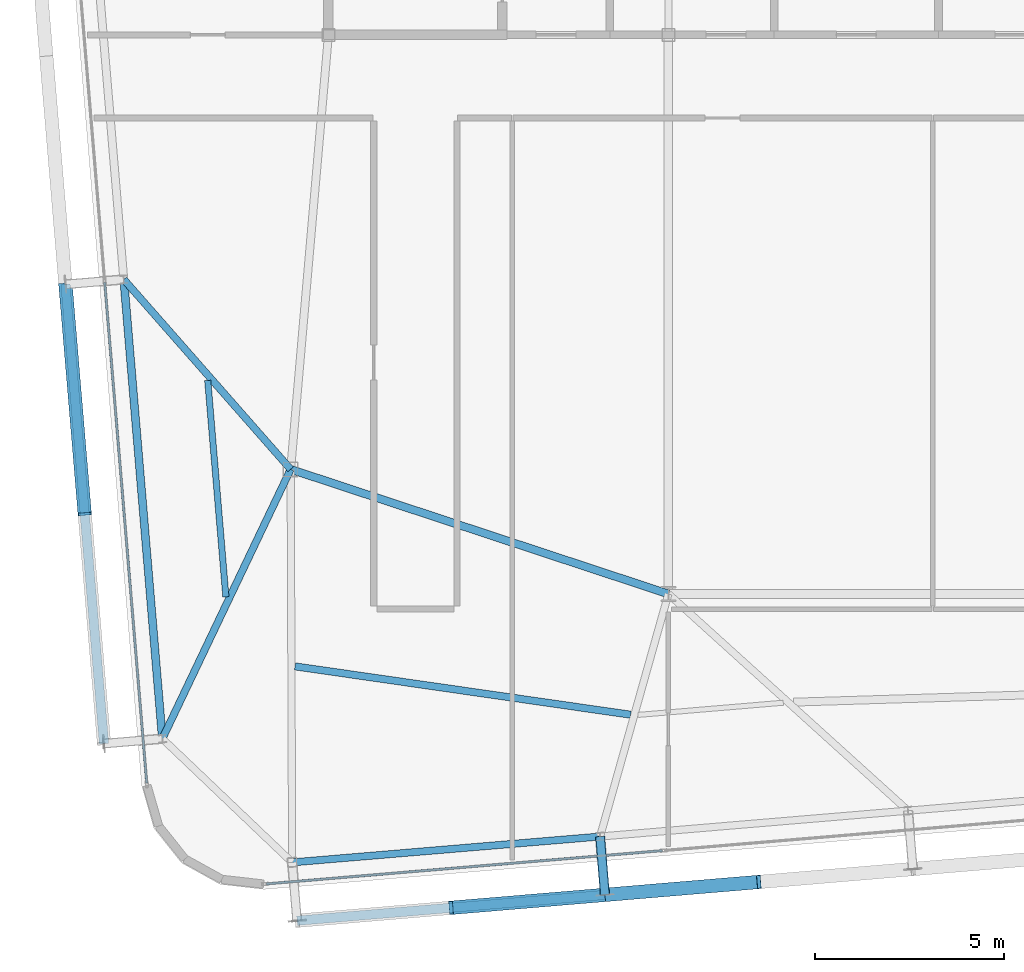
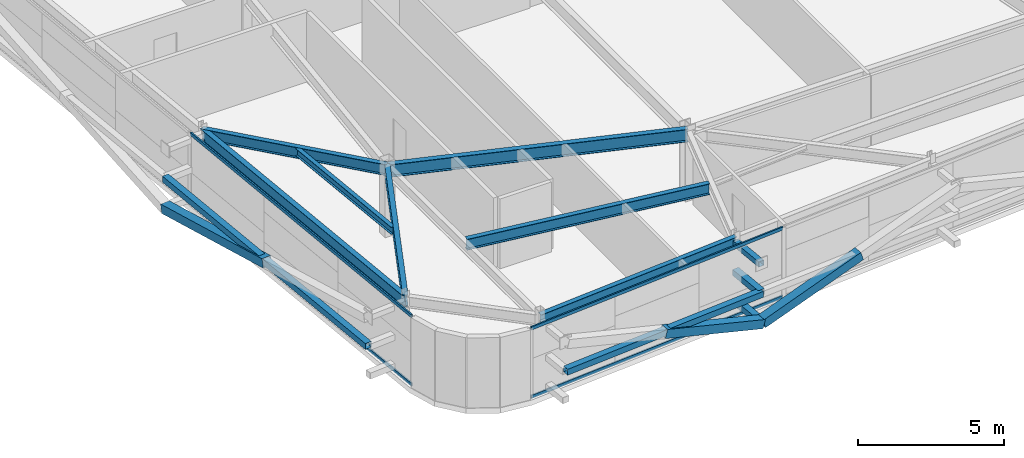
# One storey, part 8 of 37: 12 members, 7 beams, 2 elements without a shape of their own.
"""IFC4 building model written with IfcOpenShell, lengths in metres."""

import ifcopenshell
import ifcopenshell.guid

model = None  # the IFC model being written
_history = None  # IfcOwnerHistory: only IFC2X3 demands one
_inside = {}  # id of a spatial element -> (the spatial element, [elements in it])
_under = {}  # id of a project, library or spatial element -> (it, [spatial elements below it])
_declared = {}  # id of a project -> (the project, [libraries it declares])
_typed = {}  # id of a type object -> (the type object, [elements of that type])
_made_of = {}  # id of a material, layer set ... -> (it, [elements and type objects made of it])


def new_model(schema):
    """Start an empty IFC model of exactly this schema.

    Asked for "IFC4X3", IfcOpenShell would pick the latest addendum, in which some entities
    have other attributes; the version numbers below select the first issue.
    IFC2X3 requires an IfcOwnerHistory on every rooted entity: one is made here for all.
    """
    global model, _history
    if schema == "IFC4X3":
        model = ifcopenshell.file(schema_version=(4, 3, 0, 0))
    else:
        model = ifcopenshell.file(schema=schema)
    _inside.clear()
    _under.clear()
    _declared.clear()
    _typed.clear()
    _made_of.clear()
    _history = None
    if model.schema == "IFC2X3":
        org = make("IfcOrganization", Name="unknown")
        user = make(
            "IfcPersonAndOrganization",
            ThePerson=make("IfcPerson", FamilyName="unknown"),
            TheOrganization=org,
        )
        app = make(
            "IfcApplication",
            ApplicationDeveloper=org,
            Version="unknown",
            ApplicationFullName="unknown",
            ApplicationIdentifier="unknown",
        )
        _history = make(
            "IfcOwnerHistory",
            OwningUser=user,
            OwningApplication=app,
            ChangeAction="ADDED",
            CreationDate=0,
        )
    return model


def make(cls, **values):
    """One entity of the class cls with the attributes given. An attribute that is None is left unset."""
    return model.create_entity(
        cls, **{name: value for name, value in values.items() if value is not None}
    )


def rooted(cls, **values):
    """An entity with a GlobalId (a new one), such as an element, a storey or a relation."""
    return make(cls, GlobalId=ifcopenshell.guid.new(), OwnerHistory=_history, **values)


def si_unit(unit_type, name, prefix=None):
    """IfcSIUnit, for example si_unit("LENGTHUNIT", "METRE", prefix="MILLI")."""
    return make("IfcSIUnit", UnitType=unit_type, Prefix=prefix, Name=name)


def assignment(units):
    """IfcUnitAssignment: the units of a project."""
    return None if units is None else make("IfcUnitAssignment", Units=units)


def point(xyz):
    """IfcCartesianPoint."""
    return None if xyz is None else make("IfcCartesianPoint", Coordinates=xyz)


def direction(xyz):
    """IfcDirection."""
    return None if xyz is None else make("IfcDirection", DirectionRatios=xyz)


def frame(location, z_axis=None, x_axis=None):
    """IfcAxis2Placement3D, a coordinate frame: its origin and axes. An axis left out is left unset."""
    return make(
        "IfcAxis2Placement3D",
        Location=point(location),
        Axis=direction(z_axis),
        RefDirection=direction(x_axis),
    )


def frame_2d(location, x_axis=None):
    """IfcAxis2Placement2D, a coordinate frame in the plane: its origin and x axis."""
    return make(
        "IfcAxis2Placement2D", Location=point(location), RefDirection=direction(x_axis)
    )


def origin():
    """The frame at (0, 0, 0) with its axes left unset."""
    return frame((0.0, 0.0, 0.0))


def origin_2d():
    """The frame at (0, 0) in the plane with its x axis left unset."""
    return frame_2d((0.0, 0.0))


def place(relative_to, where):
    """IfcLocalPlacement: puts the frame where relative to a parent placement (None: the world)."""
    return make(
        "IfcLocalPlacement", PlacementRelTo=relative_to, RelativePlacement=where
    )


def context(
    kind, dimensions, precision=None, world=None, true_north=None, identifier=None
):
    """IfcGeometricRepresentationContext, for example the 3D "Model" context."""
    return make(
        "IfcGeometricRepresentationContext",
        ContextIdentifier=identifier,
        ContextType=kind,
        CoordinateSpaceDimension=dimensions,
        Precision=precision,
        WorldCoordinateSystem=world,
        TrueNorth=true_north,
    )


def subcontext(parent, identifier, kind, view, scale=None):
    """IfcGeometricRepresentationSubContext, for example "Body" below "Model"."""
    return make(
        "IfcGeometricRepresentationSubContext",
        ContextIdentifier=identifier,
        ContextType=kind,
        ParentContext=parent,
        TargetScale=scale,
        TargetView=view,
    )


def project(units=None, contexts=None):
    """IfcProject with its units and contexts."""
    return rooted(
        "IfcProject",
        Name="project",
        RepresentationContexts=contexts,
        UnitsInContext=assignment(units),
    )


def spatial(cls, under=None, at=None, **own):
    """A site, building, storey or space (cls), placed at a placement, below another one or the project."""
    s = rooted(cls, ObjectPlacement=at, **own)
    if under is not None:
        _under.setdefault(under.id(), (under, []))[1].append(s)
    return s


def profile(cls, at=None, kind="AREA", **sizes):
    """A parametric profile (cls). Its sizes go by their IFC names, for example OverallWidth=200.0."""
    return make(cls, ProfileType=kind, Position=at, **sizes)


def hollow_rectangle(**sizes):
    """IfcRectangleHollowProfileDef."""
    return profile("IfcRectangleHollowProfileDef", **sizes)


def i_section(**sizes):
    """IfcIShapeProfileDef."""
    return profile("IfcIShapeProfileDef", **sizes)


def extrude(swept, where, along, depth):
    """IfcExtrudedAreaSolid: the profile swept, set in the frame where, extruded along a direction by depth."""
    return make(
        "IfcExtrudedAreaSolid",
        SweptArea=swept,
        Position=where,
        ExtrudedDirection=direction(along),
        Depth=depth,
    )


def shape(context_of_items, identifier, shape_type, items):
    """IfcShapeRepresentation: the items that make up one representation, for example the "Body"."""
    return make(
        "IfcShapeRepresentation",
        ContextOfItems=context_of_items,
        RepresentationIdentifier=identifier,
        RepresentationType=shape_type,
        Items=items,
    )


def source(mapping_origin, context_of_items, identifier, shape_type, items):
    """IfcRepresentationMap: a shape defined once, which mapped items show again and again."""
    return make(
        "IfcRepresentationMap",
        MappingOrigin=mapping_origin,
        MappedRepresentation=shape(context_of_items, identifier, shape_type, items),
    )


def transform(
    local_origin,
    x_axis=None,
    y_axis=None,
    z_axis=None,
    scale=None,
    scale2=None,
    scale3=None,
    uniform=True,
):
    """IfcCartesianTransformationOperator3D, or its non-uniform kind. x_axis, y_axis, z_axis: its Axis1, 2, 3."""
    if uniform:
        return make(
            "IfcCartesianTransformationOperator3D",
            Axis1=direction(x_axis),
            Axis2=direction(y_axis),
            LocalOrigin=point(local_origin),
            Scale=scale,
            Axis3=direction(z_axis),
        )
    return make(
        "IfcCartesianTransformationOperator3DnonUniform",
        Axis1=direction(x_axis),
        Axis2=direction(y_axis),
        LocalOrigin=point(local_origin),
        Scale=scale,
        Axis3=direction(z_axis),
        Scale2=scale2,
        Scale3=scale3,
    )


def mapped(mapping_source, mapping_target):
    """IfcMappedItem: shows the shape of a source again, moved by a transform."""
    return make(
        "IfcMappedItem", MappingSource=mapping_source, MappingTarget=mapping_target
    )


def material(Name=None, Category=None):
    """IfcMaterial."""
    return make("IfcMaterial", Name=Name, Category=Category)


def layer(
    of_material, thickness, ventilated=None, Name=None, Category=None, Priority=None
):
    """IfcMaterialLayer: one layer of a wall or slab, of a material (None: an air gap)."""
    return make(
        "IfcMaterialLayer",
        Material=of_material,
        LayerThickness=thickness,
        IsVentilated=ventilated,
        Name=Name,
        Category=Category,
        Priority=Priority,
    )


def layer_set(layers, Name=None):
    """IfcMaterialLayerSet."""
    return make("IfcMaterialLayerSet", MaterialLayers=layers, LayerSetName=Name)


def material_profile(
    of_material, cross_section, Name=None, Category=None, Priority=None
):
    """IfcMaterialProfile: a cross section and its material."""
    return make(
        "IfcMaterialProfile",
        Name=Name,
        Material=of_material,
        Profile=cross_section,
        Priority=Priority,
        Category=Category,
    )


def profile_set(profiles, Name=None, composite=None):
    """IfcMaterialProfileSet."""
    return make(
        "IfcMaterialProfileSet",
        Name=Name,
        MaterialProfiles=profiles,
        CompositeProfile=composite,
    )


def made_of(thing, what):
    """Note that an element or type object is made of a material, layer set ...; save() writes the relation."""
    if what is not None:
        _made_of.setdefault(what.id(), (what, []))[1].append(thing)
    return thing


def type_object(cls, material=None, **own):
    """A type object (cls), such as IfcWallType, which elements share."""
    return made_of(rooted(cls, **own), material)


def element(
    cls,
    number,
    at=None,
    inside=None,
    cuts=None,
    type_object=None,
    material=None,
    context=None,
    identifier="Body",
    shape_type=None,
    held_by="IfcProductDefinitionShape",
    body=None,
    shapes=None,
    **own,
):
    """One element of the class cls, such as IfcWall. Its Tag is "e" and its number.

    at: its placement. inside: the storey or other place that contains it. cuts: it is an
    opening in that element (IfcRelVoidsElement). A single representation is given by context,
    identifier, shape_type and body (its items); several are given by shapes. held_by: the class
    of the entity that holds the representations. save() writes the other relations.
    """
    e = rooted(cls, Tag="e%d" % number, ObjectPlacement=at, **own)
    if body is not None:
        shapes = [shape(context, identifier, shape_type, body)]
    if shapes is not None:
        e.Representation = make(held_by, Representations=shapes)
    if inside is not None:
        _inside.setdefault(inside.id(), (inside, []))[1].append(e)
    if cuts is not None:
        rooted(
            "IfcRelVoidsElement", RelatingBuildingElement=cuts, RelatedOpeningElement=e
        )
    if type_object is not None:
        _typed.setdefault(type_object.id(), (type_object, []))[1].append(e)
    return made_of(e, material)


def aggregate(whole, parts):
    """IfcRelAggregates: a whole, such as a stair, and the parts it consists of."""
    return rooted("IfcRelAggregates", RelatingObject=whole, RelatedObjects=parts)


def save(model, path):
    """Write the relations noted so far, then the file.

    IfcRelAggregates (storeys below a building ...), IfcRelContainedInSpatialStructure (elements
    in a storey), IfcRelDefinesByType, IfcRelAssociatesMaterial and IfcRelDeclares: one each for
    every whole, place, type object, material and project.
    """
    for whole, parts in _under.values():
        aggregate(whole, parts)
    for where, things in _inside.values():
        rooted(
            "IfcRelContainedInSpatialStructure",
            RelatedElements=things,
            RelatingStructure=where,
        )
    for kind, things in _typed.values():
        rooted("IfcRelDefinesByType", RelatedObjects=things, RelatingType=kind)
    for what, things in _made_of.values():
        rooted("IfcRelAssociatesMaterial", RelatedObjects=things, RelatingMaterial=what)
    for by, libraries in _declared.values():
        rooted("IfcRelDeclares", RelatingContext=by, RelatedDefinitions=libraries)
    model.write(path)


model = new_model("IFC4")

# Units and contexts
model_context = context("Model", 3, precision=1e-05, world=origin(), true_north=direction((0.0, 1.0)))
body_context = subcontext(model_context, "Body", "Model", "MODEL_VIEW")
ifc_project = project(units=[si_unit("LENGTHUNIT", "METRE"), si_unit("AREAUNIT", "SQUARE_METRE"), si_unit("VOLUMEUNIT", "CUBIC_METRE"), si_unit("PLANEANGLEUNIT", "RADIAN"), si_unit("MASSUNIT", "GRAM", prefix="KILO")], contexts=[model_context])

# Site, building, storey
site_placement = place(None, origin())
site = spatial("IfcSite", under=ifc_project, at=site_placement, CompositionType="ELEMENT")
building_placement = place(site_placement, origin())
building = spatial("IfcBuilding", under=site, at=building_placement, Name="Taldren Reach Tower", CompositionType="ELEMENT")
storey_placement = place(building_placement, frame((0.0, 0.0, 200.89990234375)))
storey = spatial("IfcBuildingStorey", under=building, at=storey_placement, Name="L61", CompositionType="ELEMENT", Elevation=200.89990234375)

# Beam
ifc_material_1 = material(Name="Steel Gr 350 (350PLUS)", Category="steel")
ifc_material_profile_1 = material_profile(ifc_material_1, i_section(OverallWidth=0.208984375, OverallDepth=0.532958984375, WebThickness=0.01025390625, FlangeThickness=0.015625, at=origin_2d()), Name="530UB92.4")
ifc_profile_set_1 = profile_set([ifc_material_profile_1], Name="Steel Gr 350 (350PLUS)")
beam_type_1 = type_object("IfcBeamType", Name="BM-UB530A", PredefinedType="BEAM", material=ifc_profile_set_1)
shared_shape_1 = source(origin(), body_context, "Body", "SweptSolid", [
    extrude(i_section(OverallWidth=0.208984375, OverallDepth=0.532958984375, WebThickness=0.01025390625, FlangeThickness=0.015625, at=origin_2d()), origin(), (0.0, 0.0, 1.0), 10.530517578125),
])
beam_1_placement = place(storey_placement, frame((18.0, 12.5, 2.66357421875), z_axis=(0.949627269203, -0.313381635689, 0.0), x_axis=(0.313381635689, 0.949627269203, 0.0)))
element("IfcBeam", 1, at=beam_1_placement, inside=storey, type_object=beam_type_1, Name="Core-spine girder L61-SP10", PredefinedType="BEAM", context=body_context, shape_type="MappedRepresentation", body=[
    mapped(shared_shape_1, transform((0.0, 0.0, 0.0), scale=1.0)),
])

# Members
ifc_material_2 = material(Name="Steel Gr 350 (C350L0)", Category="steel")
ifc_material_profile_2 = material_profile(ifc_material_2, hollow_rectangle(XDim=0.25, YDim=0.25, WallThickness=0.010009765625, at=origin_2d()), Name="250x250x10.0SHS")
ifc_profile_set_2 = profile_set([ifc_material_profile_2], Name="Steel Gr 350 (C350L0)")
member_type_1 = type_object("IfcMemberType", Name="MB-POST250", PredefinedType="POST", material=ifc_profile_set_2)
shared_shape_2 = source(origin(), body_context, "Body", "SweptSolid", [
    extrude(hollow_rectangle(XDim=0.25, YDim=0.25, WallThickness=0.010009765625, at=origin_2d()), origin(), (0.0, 0.0, 1.0), 1.550048828125),
])
for number, where, z_axis, x_axis, name in (
    (2, (26.19091796875, 2.778564453125, 0.22021484375), (0.083632013783, -0.996496706603, 0.0), (0.996496706603, 0.083632013783, 0.0), "Exoskeleton base diaphragm tie strut B4-S2 L61"),
    (3, (26.19091796875, 2.778564453125, 1.43505859375), (0.083632013783, -0.996496706603, 0.0), (0.996496706603, 0.083632013783, 0.0), "Exoskeleton mid-tier diaphragm tie B4-S2 L61"),
):
    element("IfcMember", number, at=place(storey_placement, frame(where, z_axis=z_axis, x_axis=x_axis)), inside=storey, type_object=member_type_1, Name=name, PredefinedType="POST", context=body_context, shape_type="MappedRepresentation", body=[
        mapped(shared_shape_2, transform((0.0, 0.0, 0.0), scale=1.0)),
    ])

# Beams
ifc_material_profile_3 = material_profile(ifc_material_1, i_section(OverallWidth=0.18994140625, OverallDepth=0.4541015625, WebThickness=0.008544921875, FlangeThickness=0.0126953125, at=origin_2d()), Name="460UB67.1")
ifc_profile_set_3 = profile_set([ifc_material_profile_3], Name="Steel Gr 350 (350PLUS)")
beam_type_2 = type_object("IfcBeamType", Name="SP-UB460B", PredefinedType="SPANDREL", material=ifc_profile_set_3)
shared_shape_3 = source(origin(), body_context, "Body", "SweptSolid", [
    extrude(i_section(OverallWidth=0.18994140625, OverallDepth=0.4541015625, WebThickness=0.008544921875, FlangeThickness=0.0126953125, at=origin_2d()), origin(), (0.0, 0.0, 1.0), 8.18017578125),
])
beam_2_placement = place(storey_placement, frame((18.03955078125, 2.093994140625, 2.703125), z_axis=(0.996492034688, 0.083687662192, 0.0), x_axis=(-0.083687662192, 0.996492034688, 0.0)))
element("IfcBeam", 4, at=beam_2_placement, inside=storey, type_object=beam_type_2, Name="Perimeter spandrel B4 S1-S2 L61", PredefinedType="SPANDREL", context=body_context, shape_type="MappedRepresentation", body=[
    mapped(shared_shape_3, transform((0.0, 0.0, 0.0), scale=1.0)),
])
ifc_material_profile_4 = material_profile(ifc_material_1, i_section(OverallWidth=0.208984375, OverallDepth=0.528076171875, WebThickness=0.009521484375, FlangeThickness=0.01318359375, at=origin_2d()), Name="530UB82.0")
ifc_profile_set_4 = profile_set([ifc_material_profile_4], Name="Steel Gr 350 (350PLUS)")
beam_type_3 = type_object("IfcBeamType", Name="SP-UB530B", PredefinedType="SPANDREL", material=ifc_profile_set_4)
shared_shape_4 = source(origin(), body_context, "Body", "SweptSolid", [
    extrude(i_section(OverallWidth=0.208984375, OverallDepth=0.528076171875, WebThickness=0.009521484375, FlangeThickness=0.01318359375, at=origin_2d()), origin(), (0.0, 0.0, 1.0), 12.199951171875),
])
beam_3_placement = place(storey_placement, frame((13.582763671875, 17.525146484375, 2.666015625), z_axis=(0.083688038336, -0.996492003099, 0.0), x_axis=(0.996492003099, 0.083688038336, 0.0)))
element("IfcBeam", 5, at=beam_3_placement, inside=storey, type_object=beam_type_3, Name="Perimeter spandrel B4 W2-W1 L61", PredefinedType="SPANDREL", context=body_context, shape_type="MappedRepresentation", body=[
    mapped(shared_shape_4, transform((0.0, 0.0, 0.0), scale=1.0)),
])
ifc_material_profile_5 = material_profile(ifc_material_1, i_section(OverallWidth=0.19091796875, OverallDepth=0.4599609375, WebThickness=0.010009765625, FlangeThickness=0.01611328125, at=origin_2d()), Name="460UB82.1")
ifc_profile_set_5 = profile_set([ifc_material_profile_5], Name="Steel Gr 350 (350PLUS)")
beam_type_4 = type_object("IfcBeamType", Name="BM-UB460A", PredefinedType="BEAM", material=ifc_profile_set_5)
shared_shape_5 = source(origin(), body_context, "Body", "SweptSolid", [
    extrude(i_section(OverallWidth=0.19091796875, OverallDepth=0.4599609375, WebThickness=0.010009765625, FlangeThickness=0.01611328125, at=origin_2d()), origin(), (0.0, 0.0, 1.0), 6.690673828125),
])
beam_4_placement = place(storey_placement, frame((18.0, 12.5, 2.7001953125), z_axis=(-0.660215677485, 0.751076067521, 0.0), x_axis=(-0.751076067521, -0.660215677485, 0.0)))
element("IfcBeam", 6, at=beam_4_placement, inside=storey, type_object=beam_type_4, Name="Primary floor girder B4-W2 L61", PredefinedType="BEAM", context=body_context, shape_type="MappedRepresentation", body=[
    mapped(shared_shape_5, transform((0.0, 0.0, 0.0), scale=1.0)),
])
shared_shape_6 = source(origin(), body_context, "Body", "SweptSolid", [
    extrude(i_section(OverallWidth=0.19091796875, OverallDepth=0.4599609375, WebThickness=0.010009765625, FlangeThickness=0.01611328125, at=origin_2d()), origin(), (0.0, 0.0, 1.0), 7.8994140625),
])
beam_5_placement = place(storey_placement, frame((18.0, 12.5, 2.7001953125), z_axis=(-0.429934780074, -0.902859947546, 0.0), x_axis=(0.902859947546, -0.429934780074, 0.0)))
element("IfcBeam", 7, at=beam_5_placement, inside=storey, type_object=beam_type_4, Name="Primary floor girder B4-W1 L61", PredefinedType="BEAM", context=body_context, shape_type="MappedRepresentation", body=[
    mapped(shared_shape_6, transform((0.0, 0.0, 0.0), scale=1.0)),
])
shared_shape_7 = source(origin(), body_context, "Body", "SweptSolid", [
    extrude(i_section(OverallWidth=0.19091796875, OverallDepth=0.4599609375, WebThickness=0.010009765625, FlangeThickness=0.01611328125, at=origin_2d()), origin(), (0.0, 0.0, 1.0), 8.9765625),
])
beam_6_placement = place(storey_placement, frame((18.115478515625, 7.283203125, 2.7001953125), z_axis=(0.989776873291, -0.142624475806, 0.0), x_axis=(0.142624475806, 0.989776873291, 0.0)))
element("IfcBeam", 8, at=beam_6_placement, inside=storey, type_object=beam_type_4, Name="Secondary floor beam B4 J1 L61", PredefinedType="BEAM", context=body_context, shape_type="MappedRepresentation", body=[
    mapped(shared_shape_7, transform((0.0, 0.0, 0.0), scale=1.0)),
])
ifc_material_3 = material(Name="Steel Gr 300 (300PLUS, 300 MPa)", Category="steel")
ifc_material_profile_6 = material_profile(ifc_material_3, i_section(OverallWidth=0.166015625, OverallDepth=0.306884765625, WebThickness=0.006591796875, FlangeThickness=0.01171875, at=origin_2d()), Name="310UB46.2")
ifc_profile_set_6 = profile_set([ifc_material_profile_6], Name="Steel Gr 300 (300PLUS, 300 MPa)")
beam_type_5 = type_object("IfcBeamType", Name="JS-UB310", PredefinedType="JOIST", material=ifc_profile_set_6)
shared_shape_8 = source(origin(), body_context, "Body", "SweptSolid", [
    extrude(i_section(OverallWidth=0.166015625, OverallDepth=0.306884765625, WebThickness=0.006591796875, FlangeThickness=0.01171875, at=origin_2d()), origin(), (0.0, 0.0, 1.0), 5.750244140625),
])
beam_7_placement = place(storey_placement, frame((16.285888671875, 9.122802734375, 2.776611328125), z_axis=(-0.083642808993, 0.996495800545, 0.0), x_axis=(-0.996495800545, -0.083642808993, 0.0)))
element("IfcBeam", 9, at=beam_7_placement, inside=storey, type_object=beam_type_5, Name="Secondary floor joist B4 J6 L61", PredefinedType="JOIST", context=body_context, shape_type="MappedRepresentation", body=[
    mapped(shared_shape_8, transform((0.0, 0.0, 0.0), scale=1.0)),
])

# Members
ifc_material_4 = material(Name="Steel Gr 450 (C450L0)", Category="steel")
ifc_material_profile_7 = material_profile(ifc_material_4, hollow_rectangle(XDim=0.219970703125, YDim=0.219970703125, WallThickness=0.00830078125, at=origin_2d()), Name="220x220x8.2SHS")
ifc_profile_set_7 = profile_set([ifc_material_profile_7], Name="Steel Gr 450 (C450L0)")
member_type_2 = type_object("IfcMemberType", Name="MB-TIE219", PredefinedType="STRUT", material=ifc_profile_set_7)
shared_shape_9 = source(origin(), body_context, "Body", "SweptSolid", [
    extrude(hollow_rectangle(XDim=0.219970703125, YDim=0.219970703125, WallThickness=0.00830078125, at=origin_2d()), origin(), (0.0, 0.0, 1.0), 1.550048828125),
])
member_1_placement = place(storey_placement, frame((26.19091796875, 2.778564453125, 2.650146484375), z_axis=(0.083632013783, -0.996496706603, 0.0), x_axis=(0.996496706603, 0.083632013783, 0.0)))
element("IfcMember", 10, at=member_1_placement, inside=storey, type_object=member_type_2, Name="Exoskeleton diaphragm tie strut B4-S2 L61", PredefinedType="STRUT", context=body_context, shape_type="MappedRepresentation", body=[
    mapped(shared_shape_9, transform((0.0, 0.0, 0.0), scale=1.0)),
])
shared_shape_10 = source(origin(), body_context, "Body", "SweptSolid", [
    extrude(hollow_rectangle(XDim=0.25, YDim=0.25, WallThickness=0.010009765625, at=origin_2d()), origin(), (0.0, 0.0, 1.0), 8.1796875),
])
member_2_placement = place(storey_placement, frame((18.16943359375, 0.549560546875, 1.43505859375), z_axis=(0.996494314327, 0.083660513465, 0.0), x_axis=(-0.083660513465, 0.996494314327, 0.0)))
element("IfcMember", 11, at=member_2_placement, inside=storey, type_object=member_type_1, Name="Exoskeleton mid-height ring chord B4-S1 L61", PredefinedType="POST", context=body_context, shape_type="MappedRepresentation", body=[
    mapped(shared_shape_10, transform((0.0, 0.0, 0.0), scale=1.0)),
])
shared_shape_11 = source(origin(), body_context, "Body", "SweptSolid", [
    extrude(hollow_rectangle(XDim=0.25, YDim=0.25, WallThickness=0.010009765625, at=origin_2d()), origin(), (0.0, 0.0, 1.0), 12.199951171875),
])
member_3_placement = place(storey_placement, frame((13.05908203125, 5.23828125, 1.43505859375), z_axis=(-0.083688038336, 0.996492003099, 0.0), x_axis=(-0.996492003099, -0.083688038336, 0.0)))
element("IfcMember", 12, at=member_3_placement, inside=storey, type_object=member_type_1, Name="Exoskeleton mid-height ring chord B4-W1 L61", PredefinedType="POST", context=body_context, shape_type="MappedRepresentation", body=[
    mapped(shared_shape_11, transform((0.0, 0.0, 0.0), scale=1.0)),
])
ifc_material_profile_8 = material_profile(ifc_material_4, hollow_rectangle(XDim=0.360107421875, YDim=0.360107421875, WallThickness=0.0126953125, at=origin_2d()), Name="360x360x12.7SHS")
ifc_profile_set_8 = profile_set([ifc_material_profile_8], Name="Steel Gr 450 (C450L0)")
member_type_3 = type_object("IfcMemberType", Name="MB-EXO356", PredefinedType="BRACE", material=ifc_profile_set_8)
shared_shape_12 = source(origin(), body_context, "Body", "SweptSolid", [
    extrude(hollow_rectangle(XDim=0.360107421875, YDim=0.360107421875, WallThickness=0.0126953125, at=origin_2d()), origin(), (0.0, 0.0, 1.0), 4.2666015625),
])
member_4_placement = place(storey_placement, frame((26.320556640625, 1.23388671875, 0.22021484375), z_axis=(0.955244723646, 0.080223619417, 0.284730906006), x_axis=(-0.083687662192, 0.996492034688, 0.0)))
element("IfcMember", 13, at=member_4_placement, inside=storey, type_object=member_type_3, Name="Exoskeleton Diagrid Brace B4-S2 L61", PredefinedType="BRACE", context=body_context, shape_type="MappedRepresentation", body=[
    mapped(shared_shape_12, transform((0.0, 0.0, 0.0), scale=1.0)),
])
shared_shape_13 = source(origin(), body_context, "Body", "SweptSolid", [
    extrude(hollow_rectangle(XDim=0.360107421875, YDim=0.360107421875, WallThickness=0.0126953125, at=origin_2d()), origin(), (0.0, 0.0, 1.0), 4.266357421875),
])
member_5_placement = place(storey_placement, frame((26.320556640625, 1.23388671875, 0.22021484375), z_axis=(-0.955239715981, -0.080228004661, 0.28474647018), x_axis=(0.083692640416, -0.996491616593, 0.0)))
element("IfcMember", 14, at=member_5_placement, inside=storey, type_object=member_type_3, Name="Exoskeleton Diagrid Brace B4-S1 L61", PredefinedType="BRACE", context=body_context, shape_type="MappedRepresentation", body=[
    mapped(shared_shape_13, transform((0.0, 0.0, 0.0), scale=1.0)),
])
shared_shape_14 = source(origin(), body_context, "Body", "SweptSolid", [
    extrude(hollow_rectangle(XDim=0.360107421875, YDim=0.360107421875, WallThickness=0.0126953125, at=origin_2d()), origin(), (0.0, 0.0, 1.0), 6.2197265625),
])
member_6_placement = place(storey_placement, frame((12.0380859375, 17.3955078125, 0.22021484375), z_axis=(0.082076194186, -0.977299417909, 0.19531857593), x_axis=(0.996492003099, 0.083688038336, 0.0)))
element("IfcMember", 15, at=member_6_placement, inside=storey, type_object=member_type_3, Name="Exoskeleton Diagrid Brace B4-W1 L61", PredefinedType="BRACE", context=body_context, shape_type="MappedRepresentation", body=[
    mapped(shared_shape_14, transform((0.0, 0.0, 0.0), scale=1.0)),
])

# Curtain wall, members
ifc_material_5 = material(Name="Aluminium and Low-E Glass Unitised System", Category="aluminium")
ifc_layer = layer(ifc_material_5, 0.159912109375)
ifc_layer_set = layer_set([ifc_layer], Name="Aluminium and Low-E Glass Unitised System")
curtain_wall_type = type_object("IfcCurtainWallType", Name="CW-SYS-5", PredefinedType="NOTDEFINED", material=ifc_layer_set)
curtain_wall_1_placement = place(storey_placement, origin())
curtain_wall_1 = element("IfcCurtainWall", 16, at=curtain_wall_1_placement, inside=storey, type_object=curtain_wall_type, Name="Unitised curtain wall CW-L61-S", PredefinedType="NOTDEFINED")
ifc_material_6 = material(Name="Anodised Aluminium 6063-T6", Category="aluminium")
ifc_material_profile_9 = material_profile(ifc_material_6, hollow_rectangle(XDim=0.06005859375, YDim=0.135009765625, WallThickness=0.00341796875, at=origin_2d()), Name="ALU-135x60x3.5RHS")
ifc_profile_set_9 = profile_set([ifc_material_profile_9], Name="Anodised Aluminium 6063-T6")
member_type_4 = type_object("IfcMemberType", Name="CW-TRN-150", PredefinedType="USERDEFINED", material=ifc_profile_set_9)
shared_shape_15 = source(origin(), body_context, "Body", "SweptSolid", [
    extrude(hollow_rectangle(XDim=0.06005859375, YDim=0.135009765625, WallThickness=0.00341796875, at=origin_2d()), origin(), (0.0, 0.0, 1.0), 10.519775390625),
])
member_7_placement = place(storey_placement, frame((17.35498046875, 1.524658203125, 0.030029296875), z_axis=(0.996492094046, 0.083686955404, 0.0), x_axis=(-0.083686955404, 0.996492094046, 0.0)))
member_7 = element("IfcMember", 17, at=member_7_placement, type_object=member_type_4, Name="CW-5 transom 1.1", ObjectType="TRANSOM", PredefinedType="USERDEFINED", context=body_context, shape_type="MappedRepresentation", body=[
    mapped(shared_shape_15, transform((0.0, 0.0, 0.0), scale=1.0)),
])
member_8_placement = place(storey_placement, frame((17.35498046875, 1.524658203125, 2.900146484375), z_axis=(0.996492094046, 0.083686955404, 0.0), x_axis=(-0.083686955404, 0.996492094046, 0.0)))
member_8 = element("IfcMember", 18, at=member_8_placement, type_object=member_type_4, Name="CW-5 transom 1.2", ObjectType="TRANSOM", PredefinedType="USERDEFINED", context=body_context, shape_type="MappedRepresentation", body=[
    mapped(shared_shape_15, transform((0.0, 0.0, 0.0), scale=1.0)),
])
aggregate(curtain_wall_1, [member_7, member_8])

curtain_wall_2_placement = place(storey_placement, origin())
curtain_wall_2 = element("IfcCurtainWall", 19, at=curtain_wall_2_placement, inside=storey, type_object=curtain_wall_type, Name="Unitised curtain wall CW-L61-W", PredefinedType="NOTDEFINED")
shared_shape_16 = source(origin(), body_context, "Body", "SweptSolid", [
    extrude(hollow_rectangle(XDim=0.06005859375, YDim=0.135009765625, WallThickness=0.00341796875, at=origin_2d()), origin(), (0.0, 0.0, 1.0), 13.295166015625),
])
member_9_placement = place(storey_placement, frame((13.077392578125, 17.44775390625, 0.030029296875), z_axis=(0.083680700004, -0.996492619364, 0.0), x_axis=(0.996492619364, 0.083680700004, 0.0)))
member_9 = element("IfcMember", 20, at=member_9_placement, type_object=member_type_4, Name="CW-5 transom 2.1", ObjectType="TRANSOM", PredefinedType="USERDEFINED", context=body_context, shape_type="MappedRepresentation", body=[
    mapped(shared_shape_16, transform((0.0, 0.0, 0.0), scale=1.0)),
])
member_10_placement = place(storey_placement, frame((13.077392578125, 17.44775390625, 2.900146484375), z_axis=(0.083680700004, -0.996492619364, 0.0), x_axis=(0.996492619364, 0.083680700004, 0.0)))
member_10 = element("IfcMember", 21, at=member_10_placement, type_object=member_type_4, Name="CW-5 transom 2.2", ObjectType="TRANSOM", PredefinedType="USERDEFINED", context=body_context, shape_type="MappedRepresentation", body=[
    mapped(shared_shape_16, transform((0.0, 0.0, 0.0), scale=1.0)),
])
aggregate(curtain_wall_2, [member_9, member_10])

save(model, "model.ifc")
